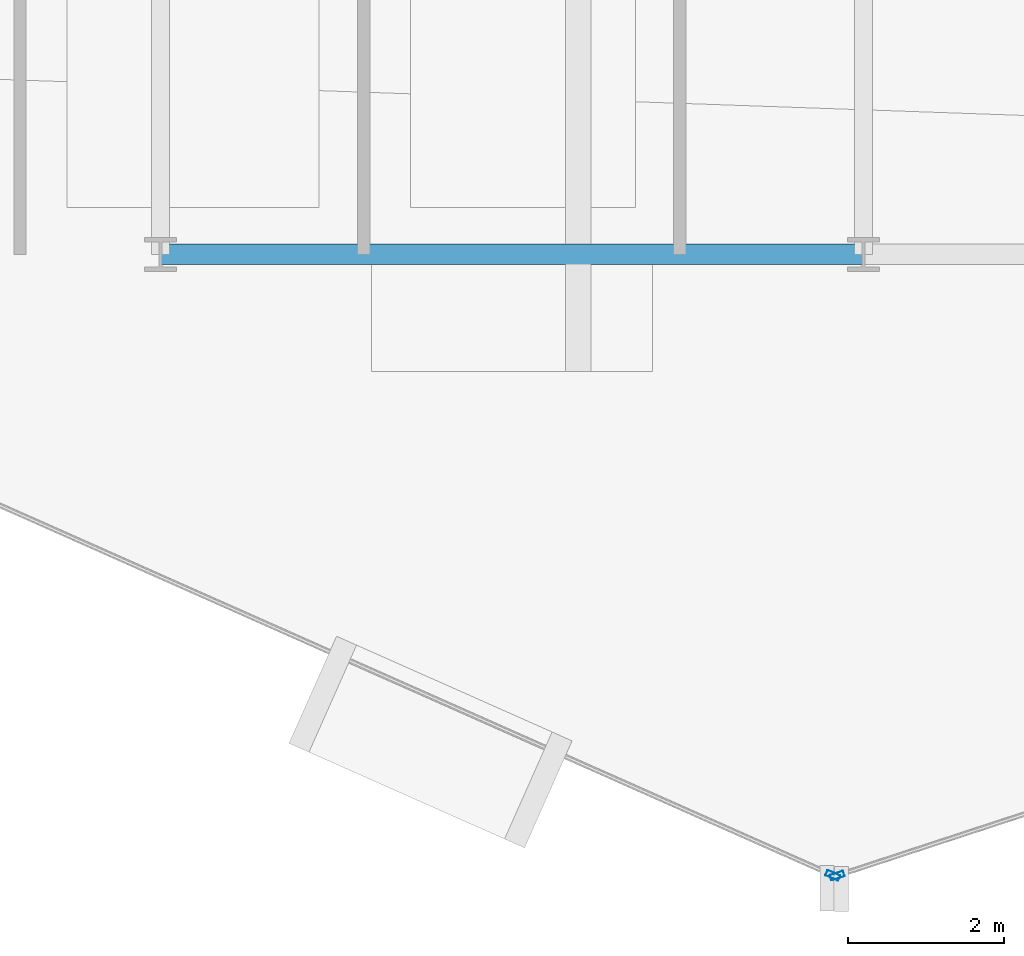
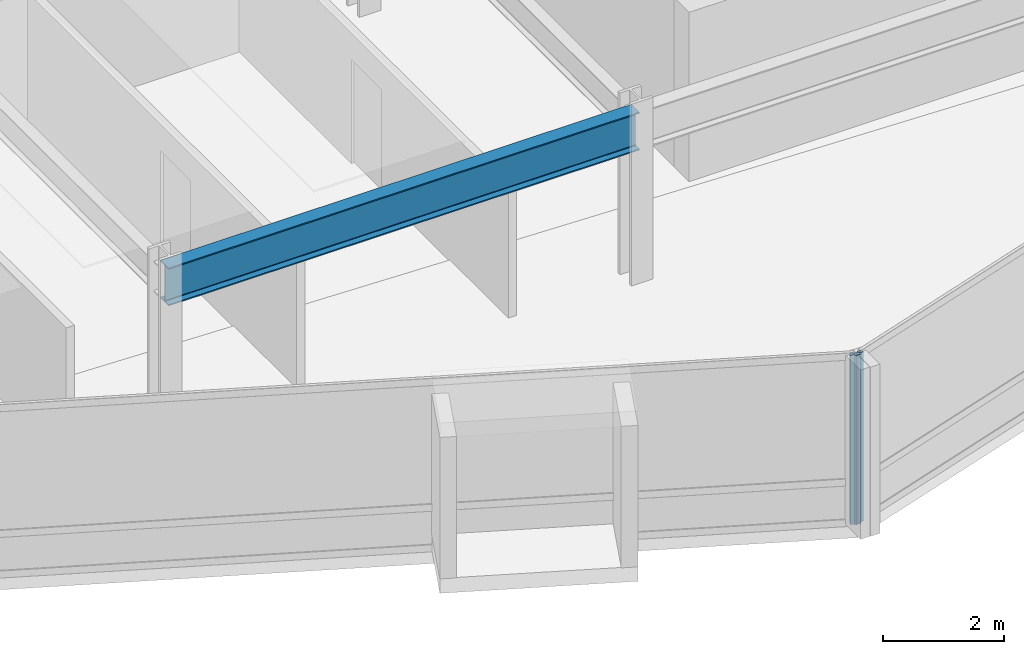
# One storey, part 4 of 28: 2 members, 1 beam, 2 elements without a shape of their own.
"""IFC4 building model written with IfcOpenShell, lengths in metres."""

import ifcopenshell
import ifcopenshell.guid

model = None  # the IFC model being written
_history = None  # IfcOwnerHistory: only IFC2X3 demands one
_inside = {}  # id of a spatial element -> (the spatial element, [elements in it])
_under = {}  # id of a project, library or spatial element -> (it, [spatial elements below it])
_declared = {}  # id of a project -> (the project, [libraries it declares])
_typed = {}  # id of a type object -> (the type object, [elements of that type])
_made_of = {}  # id of a material, layer set ... -> (it, [elements and type objects made of it])


def new_model(schema):
    """Start an empty IFC model of exactly this schema.

    Asked for "IFC4X3", IfcOpenShell would pick the latest addendum, in which some entities
    have other attributes; the version numbers below select the first issue.
    IFC2X3 requires an IfcOwnerHistory on every rooted entity: one is made here for all.
    """
    global model, _history
    if schema == "IFC4X3":
        model = ifcopenshell.file(schema_version=(4, 3, 0, 0))
    else:
        model = ifcopenshell.file(schema=schema)
    _inside.clear()
    _under.clear()
    _declared.clear()
    _typed.clear()
    _made_of.clear()
    _history = None
    if model.schema == "IFC2X3":
        org = make("IfcOrganization", Name="unknown")
        user = make(
            "IfcPersonAndOrganization",
            ThePerson=make("IfcPerson", FamilyName="unknown"),
            TheOrganization=org,
        )
        app = make(
            "IfcApplication",
            ApplicationDeveloper=org,
            Version="unknown",
            ApplicationFullName="unknown",
            ApplicationIdentifier="unknown",
        )
        _history = make(
            "IfcOwnerHistory",
            OwningUser=user,
            OwningApplication=app,
            ChangeAction="ADDED",
            CreationDate=0,
        )
    return model


def make(cls, **values):
    """One entity of the class cls with the attributes given. An attribute that is None is left unset."""
    return model.create_entity(
        cls, **{name: value for name, value in values.items() if value is not None}
    )


def rooted(cls, **values):
    """An entity with a GlobalId (a new one), such as an element, a storey or a relation."""
    return make(cls, GlobalId=ifcopenshell.guid.new(), OwnerHistory=_history, **values)


def si_unit(unit_type, name, prefix=None):
    """IfcSIUnit, for example si_unit("LENGTHUNIT", "METRE", prefix="MILLI")."""
    return make("IfcSIUnit", UnitType=unit_type, Prefix=prefix, Name=name)


def assignment(units):
    """IfcUnitAssignment: the units of a project."""
    return None if units is None else make("IfcUnitAssignment", Units=units)


def point(xyz):
    """IfcCartesianPoint."""
    return None if xyz is None else make("IfcCartesianPoint", Coordinates=xyz)


def direction(xyz):
    """IfcDirection."""
    return None if xyz is None else make("IfcDirection", DirectionRatios=xyz)


def frame(location, z_axis=None, x_axis=None):
    """IfcAxis2Placement3D, a coordinate frame: its origin and axes. An axis left out is left unset."""
    return make(
        "IfcAxis2Placement3D",
        Location=point(location),
        Axis=direction(z_axis),
        RefDirection=direction(x_axis),
    )


def frame_2d(location, x_axis=None):
    """IfcAxis2Placement2D, a coordinate frame in the plane: its origin and x axis."""
    return make(
        "IfcAxis2Placement2D", Location=point(location), RefDirection=direction(x_axis)
    )


def origin():
    """The frame at (0, 0, 0) with its axes left unset."""
    return frame((0.0, 0.0, 0.0))


def origin_2d():
    """The frame at (0, 0) in the plane with its x axis left unset."""
    return frame_2d((0.0, 0.0))


def place(relative_to, where):
    """IfcLocalPlacement: puts the frame where relative to a parent placement (None: the world)."""
    return make(
        "IfcLocalPlacement", PlacementRelTo=relative_to, RelativePlacement=where
    )


def context(
    kind, dimensions, precision=None, world=None, true_north=None, identifier=None
):
    """IfcGeometricRepresentationContext, for example the 3D "Model" context."""
    return make(
        "IfcGeometricRepresentationContext",
        ContextIdentifier=identifier,
        ContextType=kind,
        CoordinateSpaceDimension=dimensions,
        Precision=precision,
        WorldCoordinateSystem=world,
        TrueNorth=true_north,
    )


def subcontext(parent, identifier, kind, view, scale=None):
    """IfcGeometricRepresentationSubContext, for example "Body" below "Model"."""
    return make(
        "IfcGeometricRepresentationSubContext",
        ContextIdentifier=identifier,
        ContextType=kind,
        ParentContext=parent,
        TargetScale=scale,
        TargetView=view,
    )


def project(units=None, contexts=None):
    """IfcProject with its units and contexts."""
    return rooted(
        "IfcProject",
        Name="project",
        RepresentationContexts=contexts,
        UnitsInContext=assignment(units),
    )


def spatial(cls, under=None, at=None, **own):
    """A site, building, storey or space (cls), placed at a placement, below another one or the project."""
    s = rooted(cls, ObjectPlacement=at, **own)
    if under is not None:
        _under.setdefault(under.id(), (under, []))[1].append(s)
    return s


def profile(cls, at=None, kind="AREA", **sizes):
    """A parametric profile (cls). Its sizes go by their IFC names, for example OverallWidth=200.0."""
    return make(cls, ProfileType=kind, Position=at, **sizes)


def hollow_rectangle(**sizes):
    """IfcRectangleHollowProfileDef."""
    return profile("IfcRectangleHollowProfileDef", **sizes)


def i_section(**sizes):
    """IfcIShapeProfileDef."""
    return profile("IfcIShapeProfileDef", **sizes)


def extrude(swept, where, along, depth):
    """IfcExtrudedAreaSolid: the profile swept, set in the frame where, extruded along a direction by depth."""
    return make(
        "IfcExtrudedAreaSolid",
        SweptArea=swept,
        Position=where,
        ExtrudedDirection=direction(along),
        Depth=depth,
    )


def shape(context_of_items, identifier, shape_type, items):
    """IfcShapeRepresentation: the items that make up one representation, for example the "Body"."""
    return make(
        "IfcShapeRepresentation",
        ContextOfItems=context_of_items,
        RepresentationIdentifier=identifier,
        RepresentationType=shape_type,
        Items=items,
    )


def material(Name=None, Category=None):
    """IfcMaterial."""
    return make("IfcMaterial", Name=Name, Category=Category)


def layer(
    of_material, thickness, ventilated=None, Name=None, Category=None, Priority=None
):
    """IfcMaterialLayer: one layer of a wall or slab, of a material (None: an air gap)."""
    return make(
        "IfcMaterialLayer",
        Material=of_material,
        LayerThickness=thickness,
        IsVentilated=ventilated,
        Name=Name,
        Category=Category,
        Priority=Priority,
    )


def layer_set(layers, Name=None):
    """IfcMaterialLayerSet."""
    return make("IfcMaterialLayerSet", MaterialLayers=layers, LayerSetName=Name)


def material_profile(
    of_material, cross_section, Name=None, Category=None, Priority=None
):
    """IfcMaterialProfile: a cross section and its material."""
    return make(
        "IfcMaterialProfile",
        Name=Name,
        Material=of_material,
        Profile=cross_section,
        Priority=Priority,
        Category=Category,
    )


def profile_set(profiles, Name=None, composite=None):
    """IfcMaterialProfileSet."""
    return make(
        "IfcMaterialProfileSet",
        Name=Name,
        MaterialProfiles=profiles,
        CompositeProfile=composite,
    )


def made_of(thing, what):
    """Note that an element or type object is made of a material, layer set ...; save() writes the relation."""
    if what is not None:
        _made_of.setdefault(what.id(), (what, []))[1].append(thing)
    return thing


def type_object(cls, material=None, **own):
    """A type object (cls), such as IfcWallType, which elements share."""
    return made_of(rooted(cls, **own), material)


def element(
    cls,
    number,
    at=None,
    inside=None,
    cuts=None,
    type_object=None,
    material=None,
    context=None,
    identifier="Body",
    shape_type=None,
    held_by="IfcProductDefinitionShape",
    body=None,
    shapes=None,
    **own,
):
    """One element of the class cls, such as IfcWall. Its Tag is "e" and its number.

    at: its placement. inside: the storey or other place that contains it. cuts: it is an
    opening in that element (IfcRelVoidsElement). A single representation is given by context,
    identifier, shape_type and body (its items); several are given by shapes. held_by: the class
    of the entity that holds the representations. save() writes the other relations.
    """
    e = rooted(cls, Tag="e%d" % number, ObjectPlacement=at, **own)
    if body is not None:
        shapes = [shape(context, identifier, shape_type, body)]
    if shapes is not None:
        e.Representation = make(held_by, Representations=shapes)
    if inside is not None:
        _inside.setdefault(inside.id(), (inside, []))[1].append(e)
    if cuts is not None:
        rooted(
            "IfcRelVoidsElement", RelatingBuildingElement=cuts, RelatedOpeningElement=e
        )
    if type_object is not None:
        _typed.setdefault(type_object.id(), (type_object, []))[1].append(e)
    return made_of(e, material)


def aggregate(whole, parts):
    """IfcRelAggregates: a whole, such as a stair, and the parts it consists of."""
    return rooted("IfcRelAggregates", RelatingObject=whole, RelatedObjects=parts)


def save(model, path):
    """Write the relations noted so far, then the file.

    IfcRelAggregates (storeys below a building ...), IfcRelContainedInSpatialStructure (elements
    in a storey), IfcRelDefinesByType, IfcRelAssociatesMaterial and IfcRelDeclares: one each for
    every whole, place, type object, material and project.
    """
    for whole, parts in _under.values():
        aggregate(whole, parts)
    for where, things in _inside.values():
        rooted(
            "IfcRelContainedInSpatialStructure",
            RelatedElements=things,
            RelatingStructure=where,
        )
    for kind, things in _typed.values():
        rooted("IfcRelDefinesByType", RelatedObjects=things, RelatingType=kind)
    for what, things in _made_of.values():
        rooted("IfcRelAssociatesMaterial", RelatedObjects=things, RelatingMaterial=what)
    for by, libraries in _declared.values():
        rooted("IfcRelDeclares", RelatingContext=by, RelatedDefinitions=libraries)
    model.write(path)


model = new_model("IFC4")

# Units and contexts
model_context = context("Model", 3, precision=1e-05, world=origin(), true_north=direction((0.0, 1.0)))
body_context = subcontext(model_context, "Body", "Model", "MODEL_VIEW")
ifc_project = project(units=[si_unit("LENGTHUNIT", "METRE"), si_unit("AREAUNIT", "SQUARE_METRE"), si_unit("VOLUMEUNIT", "CUBIC_METRE"), si_unit("PLANEANGLEUNIT", "RADIAN"), si_unit("MASSUNIT", "GRAM", prefix="KILO")], contexts=[model_context])

# Site, building, storey
site_placement = place(None, origin())
site = spatial("IfcSite", under=ifc_project, at=site_placement, CompositionType="ELEMENT")
building_placement = place(site_placement, origin())
building = spatial("IfcBuilding", under=site, at=building_placement, Name="Solvaryn Broadcast Tower", CompositionType="ELEMENT")
storey_placement = place(building_placement, frame((0.0, 0.0, 158.10009765625)))
storey = spatial("IfcBuildingStorey", under=building, at=storey_placement, Name="L39", CompositionType="ELEMENT", Elevation=158.10009765625)

# Beam
ifc_material_1 = material(Name="Steel ASTM A992 Grade 50", Category="steel")
ifc_material_profile_1 = material_profile(ifc_material_1, i_section(OverallWidth=0.26708984375, OverallDepth=0.76611328125, WebThickness=0.014892578125, FlangeThickness=0.023681640625, FilletRadius=0.01806640625, at=origin_2d()))
ifc_profile_set_1 = profile_set([ifc_material_profile_1], Name="Steel ASTM A992 Grade 50")
beam_type = type_object("IfcBeamType", Name="BM-SP2-W30X124", PredefinedType="USERDEFINED", material=ifc_profile_set_1)
beam_placement = place(storey_placement, frame((18.0, 9.0, 3.036865234375), z_axis=(1.0, 0.0, 0.0), x_axis=(0.0, 1.0, 0.0)))
element("IfcBeam", 1, at=beam_placement, inside=storey, type_object=beam_type, Name="L39 Spandrel Beam X (18-27 @ Y=9)", ObjectType="SPANDREL", PredefinedType="USERDEFINED", context=body_context, shape_type="SweptSolid", body=[
    extrude(i_section(OverallWidth=0.26708984375, OverallDepth=0.76611328125, WebThickness=0.014892578125, FlangeThickness=0.023681640625, FilletRadius=0.01806640625, at=origin_2d()), origin(), (0.0, 0.0, 1.0), 9.0),
])

# Curtain wall, member
ifc_material_2 = material(Name="Aluminium and Terracotta Unitised Curtain Wall", Category="masonry")
ifc_layer = layer(ifc_material_2, 0.199951171875)
ifc_layer_set = layer_set([ifc_layer], Name="CW-SYS2-LOWMID")
curtain_wall_type = type_object("IfcCurtainWallType", Name="CW-SYS2-LOWMID", PredefinedType="NOTDEFINED", material=ifc_layer_set)
curtain_wall_1_placement = place(storey_placement, origin())
curtain_wall_1 = element("IfcCurtainWall", 2, at=curtain_wall_1_placement, inside=storey, type_object=curtain_wall_type, Name="L39 Curtain Wall DR3", PredefinedType="NOTDEFINED")
ifc_material_3 = material(Name="Anodised Aluminium 6063-T6", Category="aluminium")
ifc_material_profile_2 = material_profile(ifc_material_3, hollow_rectangle(XDim=0.074951171875, YDim=0.179931640625, WallThickness=0.00390625, InnerFilletRadius=0.00390625, OuterFilletRadius=0.008056640625, at=origin_2d()))
ifc_profile_set_2 = profile_set([ifc_material_profile_2], Name="Anodised Aluminium 6063-T6")
member_type = type_object("IfcMemberType", Name="CW-MUL-180", PredefinedType="MULLION", material=ifc_profile_set_2)
member_1_placement = place(storey_placement, frame((26.608642578125, 1.046142578125, 0.0), z_axis=(0.0, 0.0, 1.0), x_axis=(0.405918429309, 0.913909311008, 0.0)))
member_1 = element("IfcMember", 3, at=member_1_placement, type_object=member_type, Name="CWS2 mullion 2", PredefinedType="MULLION", context=body_context, shape_type="SweptSolid", body=[
    extrude(hollow_rectangle(XDim=0.074951171875, YDim=0.179931640625, WallThickness=0.00390625, InnerFilletRadius=0.00390625, OuterFilletRadius=0.008056640625, at=origin_2d()), origin(), (0.0, 0.0, 1.0), 3.419921875),
])
aggregate(curtain_wall_1, [member_1])

curtain_wall_2_placement = place(storey_placement, origin())
curtain_wall_2 = element("IfcCurtainWall", 4, at=curtain_wall_2_placement, inside=storey, type_object=curtain_wall_type, Name="L39 Curtain Wall DR4", PredefinedType="NOTDEFINED")
member_2_placement = place(storey_placement, frame((26.66455078125, 1.04345703125, 0.0), z_axis=(0.0, 0.0, 1.0), x_axis=(-0.311646057547, 0.950198260794, 0.0)))
member_2 = element("IfcMember", 5, at=member_2_placement, type_object=member_type, Name="CWS2 mullion 1", PredefinedType="MULLION", context=body_context, shape_type="SweptSolid", body=[
    extrude(hollow_rectangle(XDim=0.074951171875, YDim=0.179931640625, WallThickness=0.00390625, InnerFilletRadius=0.00390625, OuterFilletRadius=0.008056640625, at=origin_2d()), origin(), (0.0, 0.0, 1.0), 3.419921875),
])
aggregate(curtain_wall_2, [member_2])

save(model, "model.ifc")
